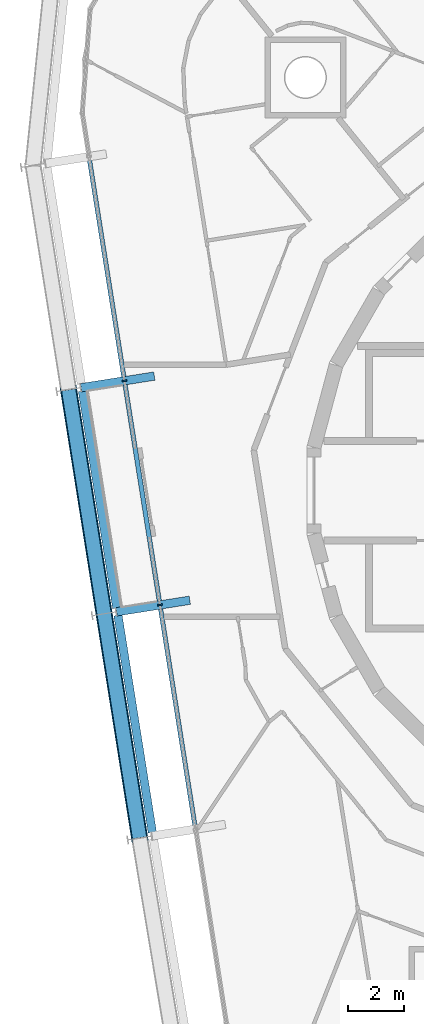
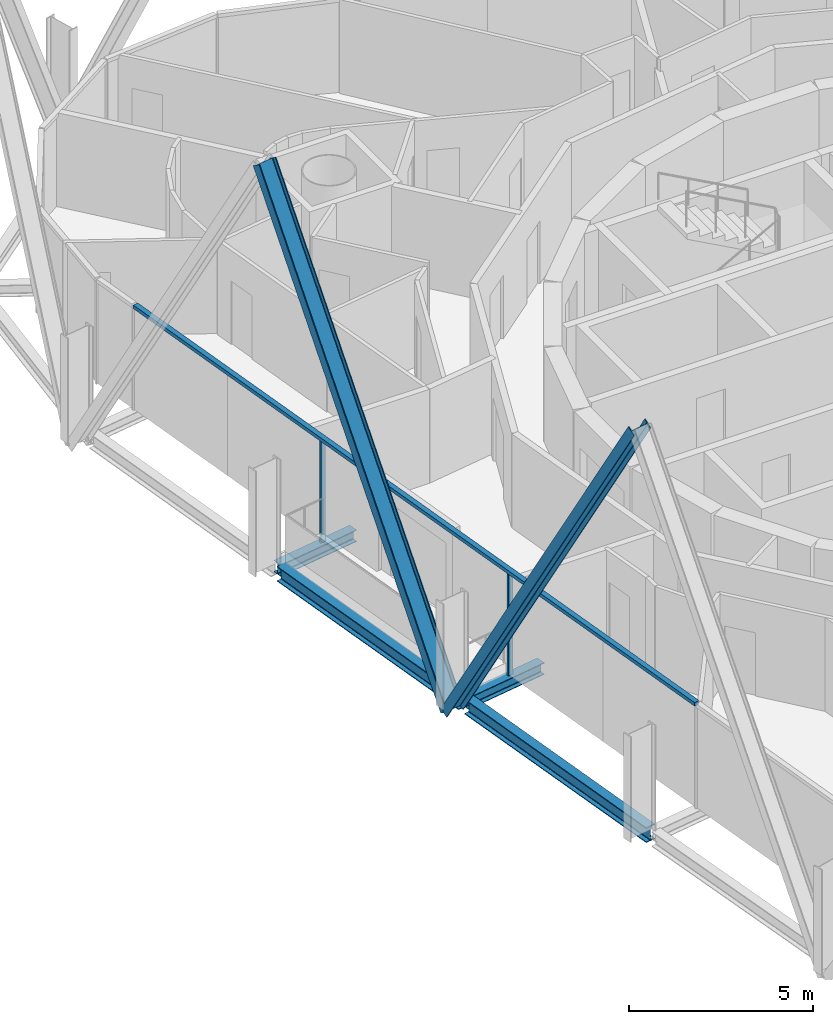
# One storey, part 3 of 18: 5 members, 4 beams, 1 element without a shape of its own.
"""IFC4 building model written with IfcOpenShell, lengths in metres."""

from ifc_helpers import new_model, si_unit, direction, frame, origin, origin_2d, place, context, subcontext, project, spatial, rectangle, i_section, extrude, material, layer, layer_set, material_profile, profile_set, type_object, element, aggregate, save


model = new_model("IFC4")

# Units and contexts
model_context = context("Model", 3, precision=1e-05, world=origin(), true_north=direction((0.0, 1.0)))
body_context = subcontext(model_context, "Body", "Model", "MODEL_VIEW")
ifc_project = project(units=[si_unit("LENGTHUNIT", "METRE"), si_unit("AREAUNIT", "SQUARE_METRE"), si_unit("VOLUMEUNIT", "CUBIC_METRE"), si_unit("PLANEANGLEUNIT", "RADIAN"), si_unit("MASSUNIT", "GRAM", prefix="KILO")], contexts=[model_context])

# Site, building, storey
site_placement = place(None, origin())
site = spatial("IfcSite", under=ifc_project, at=site_placement, CompositionType="ELEMENT")
building_placement = place(site_placement, origin())
building = spatial("IfcBuilding", under=site, at=building_placement, Name="Spindle Arch Residences", CompositionType="ELEMENT")
storey_placement = place(building_placement, frame((0.0, 0.0, 277.39990234375)))
storey = spatial("IfcBuildingStorey", under=building, at=storey_placement, Name="L71", CompositionType="ELEMENT", Elevation=277.39990234375)

# Curtain wall, members
ifc_material_1 = material(Name="Aluminium bronze unitised frame with tinted glass", Category="aluminium")
ifc_layer = layer(ifc_material_1, 0.159912109375)
ifc_layer_set = layer_set([ifc_layer], Name="CW-C typical residential unitised wall")
curtain_wall_type = type_object("IfcCurtainWallType", Name="CW-C typical residential unitised wall", PredefinedType="NOTDEFINED", material=ifc_layer_set)
curtain_wall_placement = place(storey_placement, origin())
curtain_wall = element("IfcCurtainWall", 1, at=curtain_wall_placement, inside=storey, type_object=curtain_wall_type, Name="CW-C L71 run 4", PredefinedType="NOTDEFINED")
ifc_material_2 = material(Name="Aluminium bronze anodised mullion", Category="aluminium")
ifc_material_profile_1 = material_profile(ifc_material_2, rectangle(XDim=0.159912109375, YDim=0.06005859375, at=origin_2d()), Name="MU 60x160")
ifc_profile_set_1 = profile_set([ifc_material_profile_1], Name="Aluminium bronze anodised mullion")
member_type_1 = type_object("IfcMemberType", Name="Bronze mullion 60x160", PredefinedType="MULLION", material=ifc_profile_set_1)
member_1_placement = place(storey_placement, frame((-18.417236328125, 3.923583984375, -0.3798828125), z_axis=(0.0, 0.0, 1.0), x_axis=(0.987688340595, 0.15643446504, 0.0)))
member_1 = element("IfcMember", 2, at=member_1_placement, type_object=member_type_1, Name="CW-C mullion 12", PredefinedType="MULLION", context=body_context, shape_type="SweptSolid", body=[
    extrude(rectangle(XDim=0.159912109375, YDim=0.06005859375, at=origin_2d()), origin(), (0.0, 0.0, 1.0), 3.3798828125),
])
member_2_placement = place(storey_placement, frame((-17.14892578125, -4.084228515625, -0.3798828125), z_axis=(0.0, 0.0, 1.0), x_axis=(0.987688340595, 0.15643446504, 0.0)))
member_2 = element("IfcMember", 3, at=member_2_placement, type_object=member_type_1, Name="CW-C mullion 13", PredefinedType="MULLION", context=body_context, shape_type="SweptSolid", body=[
    extrude(rectangle(XDim=0.159912109375, YDim=0.06005859375, at=origin_2d()), origin(), (0.0, 0.0, 1.0), 3.3798828125),
])
ifc_material_3 = material(Name="Aluminium bronze anodised transom", Category="aluminium")
ifc_material_profile_2 = material_profile(ifc_material_3, rectangle(XDim=0.159912109375, YDim=0.1201171875, at=origin_2d()), Name="TR 120x160")
ifc_profile_set_2 = profile_set([ifc_material_profile_2], Name="Aluminium bronze anodised transom")
member_type_2 = type_object("IfcMemberType", Name="Bronze transom 120x160", PredefinedType="USERDEFINED", material=ifc_profile_set_2)
member_3_placement = place(storey_placement, frame((-19.6806640625, 11.901611328125, 3.06005859375), z_axis=(0.156430704214, -0.987688936244, 0.0), x_axis=(0.987688936244, 0.156430704214, 0.0)))
member_3 = element("IfcMember", 4, at=member_3_placement, type_object=member_type_2, Name="CW-C transom 00", ObjectType="TRANSOM", PredefinedType="USERDEFINED", context=body_context, shape_type="SweptSolid", body=[
    extrude(rectangle(XDim=0.159912109375, YDim=0.1201171875, at=origin_2d()), origin(), (0.0, 0.0, 1.0), 24.262451171875),
])
aggregate(curtain_wall, [member_3, member_1, member_2])

# Members
ifc_material_4 = material(Name="Steel S460ML, intumescent coating R 240", Category="steel")
ifc_material_profile_3 = material_profile(ifc_material_4, i_section(OverallWidth=0.300048828125, OverallDepth=0.60009765625, WebThickness=0.015380859375, FlangeThickness=0.030029296875, FilletRadius=0.027099609375, at=origin_2d()), Name="HEB 600")
ifc_profile_set_3 = profile_set([ifc_material_profile_3], Name="Steel S460ML, intumescent coating R 240")
member_type_3 = type_object("IfcMemberType", Name="Diagrid diagonal HEB 600", PredefinedType="BRACE", material=ifc_profile_set_3)
for number, where, z_axis, x_axis, name in (
    (5, (-19.143798828125, -4.400146484375, -0.6298828125), (-0.079373326919, 0.501047945139, 0.861771913934), (0.134835899084, -0.851158100452, 0.507295937648), "Diagrid diagonal 7.2.13"),
    (6, (-19.143798828125, -4.400146484375, -0.6298828125), (0.079358147279, -0.501048552599, 0.86177295873), (-0.134810747681, 0.85116314224, 0.507294162791), "Diagrid diagonal 7.2.14"),
):
    element("IfcMember", number, at=place(storey_placement, frame(where, z_axis=z_axis, x_axis=x_axis)), inside=storey, type_object=member_type_3, Name=name, PredefinedType="BRACE", context=body_context, shape_type="SweptSolid", body=[
        extrude(i_section(OverallWidth=0.300048828125, OverallDepth=0.60009765625, WebThickness=0.015380859375, FlangeThickness=0.030029296875, FilletRadius=0.027099609375, at=origin_2d()), origin(), (0.0, 0.0, 1.0), 15.982177734375),
    ])

# Beams
ifc_material_5 = material(Name="Steel S460ML, intumescent coating R 120", Category="steel")
ifc_material_profile_4 = material_profile(ifc_material_5, i_section(OverallWidth=0.300048828125, OverallDepth=0.5, WebThickness=0.014404296875, FlangeThickness=0.028076171875, FilletRadius=0.027099609375, at=origin_2d()), Name="HEB 500")
ifc_profile_set_4 = profile_set([ifc_material_profile_4], Name="Steel S460ML, intumescent coating R 120")
beam_type_1 = type_object("IfcBeamType", Name="Exoskeleton edge beam HEB 500", PredefinedType="BEAM", material=ifc_profile_set_4)
for number, where, z_axis, x_axis, name in (
    (7, (-19.91796875, 3.55419921875, -0.6298828125), (0.156453001738, -0.987685404492, 0.0), (0.987685404492, 0.156453001738, 0.0), "Exoskeleton edge beam 13"),
    (8, (-18.6494140625, -4.45361328125, -0.6298828125), (0.156422652856, -0.987690211389, 0.0), (0.987690211389, 0.156422652856, 0.0), "Exoskeleton edge beam 14"),
):
    element("IfcBeam", number, at=place(storey_placement, frame(where, z_axis=z_axis, x_axis=x_axis)), inside=storey, type_object=beam_type_1, Name=name, PredefinedType="BEAM", context=body_context, shape_type="SweptSolid", body=[
        extrude(i_section(OverallWidth=0.300048828125, OverallDepth=0.5, WebThickness=0.014404296875, FlangeThickness=0.028076171875, FilletRadius=0.027099609375, at=origin_2d()), origin(), (0.0, 0.0, 1.0), 7.84765625),
    ])
ifc_material_6 = material(Name="Steel S460ML, intumescent coating R 120", Category="steel")
ifc_material_profile_5 = material_profile(ifc_material_6, i_section(OverallWidth=0.300048828125, OverallDepth=0.389892578125, WebThickness=0.010986328125, FlangeThickness=0.01904296875, FilletRadius=0.027099609375, at=origin_2d()), Name="HEA 400")
ifc_profile_set_5 = profile_set([ifc_material_profile_5], Name="Steel S460ML, intumescent coating R 120")
beam_type_2 = type_object("IfcBeamType", Name="Floor outrigger HEA 400", PredefinedType="BEAM", material=ifc_profile_set_5)
beam_1_placement = place(storey_placement, frame((-19.9677734375, 3.677978515625, -0.574951171875), z_axis=(0.987686649348, 0.156445142779, 0.0), x_axis=(-0.156445142779, 0.987686649348, 0.0)))
element("IfcBeam", 9, at=beam_1_placement, inside=storey, type_object=beam_type_2, Name="Floor outrigger 13", PredefinedType="BEAM", context=body_context, shape_type="SweptSolid", body=[
    extrude(i_section(OverallWidth=0.300048828125, OverallDepth=0.389892578125, WebThickness=0.010986328125, FlangeThickness=0.01904296875, FilletRadius=0.027099609375, at=origin_2d()), origin(), (0.0, 0.0, 1.0), 2.64990234375),
])
beam_2_placement = place(storey_placement, frame((-18.699462890625, -4.329833984375, -0.574951171875), z_axis=(0.987688904051, 0.156430907479, 0.0), x_axis=(-0.156430907479, 0.987688904051, 0.0)))
element("IfcBeam", 10, at=beam_2_placement, inside=storey, type_object=beam_type_2, Name="Floor outrigger 14", PredefinedType="BEAM", context=body_context, shape_type="SweptSolid", body=[
    extrude(i_section(OverallWidth=0.300048828125, OverallDepth=0.389892578125, WebThickness=0.010986328125, FlangeThickness=0.01904296875, FilletRadius=0.027099609375, at=origin_2d()), origin(), (0.0, 0.0, 1.0), 2.650146484375),
])

save(model, "model.ifc")
